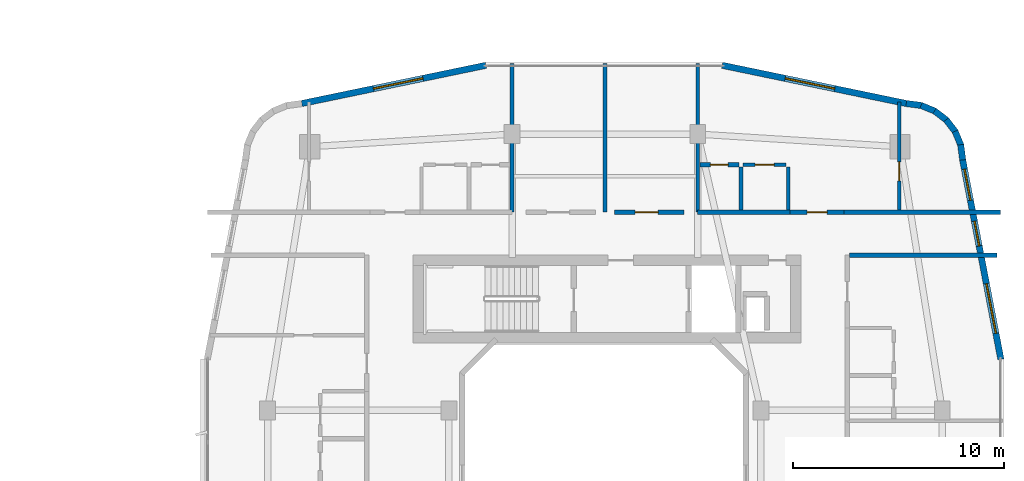
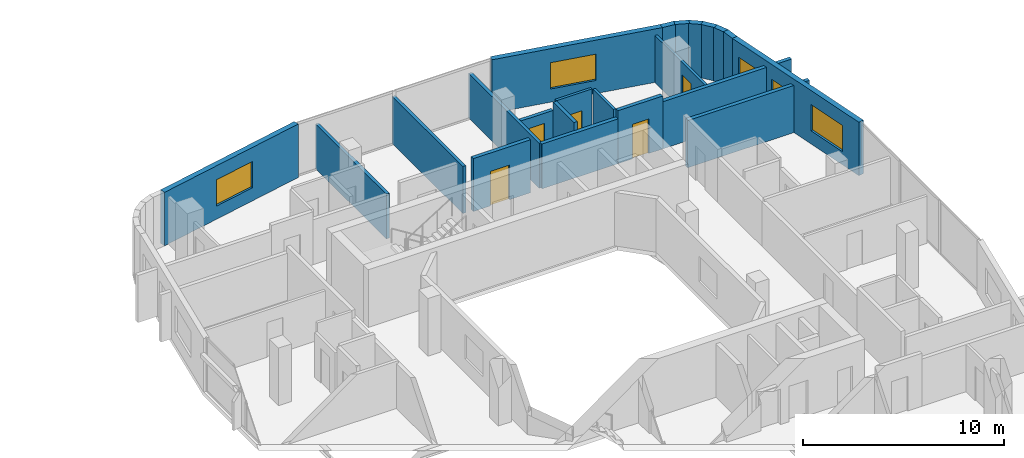
# One storey, part 20 of 26: 22 walls, 5 doors, 5 windows, 10 openings.
"""IFC4 building model written with IfcOpenShell, lengths in metres."""

from ifc_helpers import new_model, si_unit, derived_unit, direction, frame, frame_2d, origin, place, context, subcontext, project, spatial, rectangle, extrude, material, layer, layer_set, type_object, element, fill, save


model = new_model("IFC4")

# Units and contexts
model_context = context("Model", 3, precision=1e-05, world=origin(), true_north=direction((0.0, 1.0)))
body_context = subcontext(model_context, "Body", "Model", "MODEL_VIEW")
ifc_project = project(units=[si_unit("LENGTHUNIT", "METRE"), si_unit("AREAUNIT", "SQUARE_METRE"), si_unit("VOLUMEUNIT", "CUBIC_METRE"), si_unit("PLANEANGLEUNIT", "RADIAN"), si_unit("MASSUNIT", "GRAM", prefix="KILO"), derived_unit("THERMALTRANSMITTANCEUNIT", [(si_unit("POWERUNIT", "WATT"), 1), (si_unit("LENGTHUNIT", "METRE"), -2), (si_unit("THERMODYNAMICTEMPERATUREUNIT", "KELVIN"), -1)])], contexts=[model_context])

# Site, building, storey
site_placement = place(None, origin())
site = spatial("IfcSite", under=ifc_project, at=site_placement, CompositionType="ELEMENT")
building_placement = place(site_placement, origin())
building = spatial("IfcBuilding", under=site, at=building_placement, Name="Kivonza Crest Hotel", CompositionType="ELEMENT")
storey_placement = place(building_placement, frame((0.0, 0.0, 66.0)))
storey = spatial("IfcBuildingStorey", under=building, at=storey_placement, Name="L17", CompositionType="ELEMENT", Elevation=66.0)

# Walls
ifc_material_1 = material(Name="High-density acoustic masonry inter-tenancy wall", Category="masonry")
ifc_layer_1 = layer(ifc_material_1, 0.179931640625)
ifc_layer_set_1 = layer_set([ifc_layer_1], Name="High-density acoustic masonry inter-tenancy wall")
wall_type_1 = type_object("IfcWallType", Name="WL-ACOU-180", PredefinedType="SOLIDWALL", material=ifc_layer_set_1)
wall_1_placement = place(storey_placement, frame((72.60009765625, 37.89990234375, 0.0), z_axis=(0.0, 0.0, 1.0), x_axis=(0.0, 1.0, 0.0)))
element("IfcWall", 1, at=wall_1_placement, inside=storey, type_object=wall_type_1, Name="L17 interior partition WA-L17-T2N-DIV1", PredefinedType="SOLIDWALL", context=body_context, shape_type="SweptSolid", body=[
    extrude(rectangle(XDim=7.0400390625, YDim=0.179931640625, at=frame_2d((3.52001953125, 0.0))), origin(), (0.0, 0.0, 1.0), 2.72509765625),
])
wall_2_placement = place(storey_placement, frame((77.0, 37.89990234375, 0.0), z_axis=(0.0, 0.0, 1.0), x_axis=(0.0, 1.0, 0.0)))
element("IfcWall", 2, at=wall_2_placement, inside=storey, type_object=wall_type_1, Name="L17 interior partition WA-L17-T2N-OFFDIV", PredefinedType="SOLIDWALL", context=body_context, shape_type="SweptSolid", body=[
    extrude(rectangle(XDim=7.0400390625, YDim=0.179931640625, at=frame_2d((3.52001953125, 0.0))), origin(), (0.0, 0.0, 1.0), 2.864990234375),
])
wall_3_placement = place(storey_placement, frame((81.39990234375, 37.89990234375, 0.0), z_axis=(0.0, 0.0, 1.0), x_axis=(0.0, 1.0, 0.0)))
element("IfcWall", 3, at=wall_3_placement, inside=storey, type_object=wall_type_1, Name="L17 interior partition WA-L17-T2N-DIV2", PredefinedType="SOLIDWALL", context=body_context, shape_type="SweptSolid", body=[
    extrude(rectangle(XDim=7.0400390625, YDim=0.179931640625, at=frame_2d((3.52001953125, 0.0))), origin(), (0.0, 0.0, 1.0), 2.72509765625),
])

# Wall, opening, door
ifc_material_2 = material(Name="Autoclaved aerated concrete blockwork", Category="masonry")
ifc_layer_2 = layer(ifc_material_2, 0.219970703125)
ifc_layer_set_2 = layer_set([ifc_layer_2], Name="Autoclaved aerated concrete blockwork")
wall_type_2 = type_object("IfcWallType", Name="WL-ACOU-220", PredefinedType="SOLIDWALL", material=ifc_layer_set_2)
wall_4_placement = place(storey_placement, frame((77.449951171875, 37.89990234375, 0.0), z_axis=(0.0, 0.0, 1.0), x_axis=(1.0, 0.0, 0.0)))
wall_4 = element("IfcWall", 4, at=wall_4_placement, inside=storey, type_object=wall_type_2, Name="L17 interior partition WA-L17-T2-OFF2-S", PredefinedType="SOLIDWALL", context=body_context, shape_type="SweptSolid", body=[
    extrude(rectangle(XDim=3.300048828125, YDim=0.219970703125, at=frame_2d((1.64990234375, 0.0))), origin(), (0.0, 0.0, 1.0), 3.219970703125),
])
opening_1_placement = place(wall_4_placement, frame((0.97998046875, 0.0, 0.0)))
opening_1 = element("IfcOpeningElement", 5, at=opening_1_placement, cuts=wall_4, Name="Opening DF-60M", PredefinedType="OPENING", context=body_context, shape_type="SweptSolid", body=[
    extrude(rectangle(XDim=1.10009765625, YDim=2.10009765625, at=frame_2d((0.550048828125, 1.050048828125))), frame((0.0, 0.1201171875, 0.0), z_axis=(0.0, -1.0, 0.0), x_axis=(1.0, 0.0, 0.0)), (0.0, 0.0, 1.0), 0.239990234375),
])
ifc_material_3 = material(Name="Hardwood timber oak", Category="wood")
door_type_1 = type_object("IfcDoorType", Name="DR-FD60-1100", OperationType="NOTDEFINED", PredefinedType="DOOR", material=ifc_material_3)
door_1_placement = place(opening_1_placement, origin())
door_1 = element("IfcDoor", 6, at=door_1_placement, inside=storey, type_object=door_type_1, Name="L17 Resident Co-Working Study East door", OperationType="SINGLE_SWING_LEFT", OverallHeight=2.10009765625, OverallWidth=1.10009765625, PredefinedType="DOOR", context=body_context, shape_type="SweptSolid", body=[
    extrude(rectangle(XDim=1.10009765625, YDim=2.10009765625, at=frame_2d((0.550048828125, 1.050048828125))), frame((0.0, 0.02490234375, 0.0), z_axis=(0.0, -1.0, 0.0), x_axis=(1.0, 0.0, 0.0)), (0.0, 0.0, 1.0), 0.050048828125),
])
fill(opening_1, door_1)

# Walls
wall_5_placement = place(storey_placement, frame((81.39990234375, 37.89990234375, 0.0), z_axis=(0.0, 0.0, 1.0), x_axis=(1.0, 0.0, 0.0)))
element("IfcWall", 7, at=wall_5_placement, inside=storey, type_object=wall_type_2, Name="L17 interior partition WA-L17-A02-LCORR", PredefinedType="SOLIDWALL", context=body_context, shape_type="SweptSolid", body=[
    extrude(rectangle(XDim=4.380126953125, YDim=0.219970703125, at=frame_2d((2.18994140625, 0.0))), origin(), (0.0, 0.0, 1.0), 2.72509765625),
])
wall_6_placement = place(storey_placement, frame((88.35009765625, 37.89990234375, 0.0), z_axis=(0.0, 0.0, 1.0), x_axis=(1.0, 0.0, 0.0)))
element("IfcWall", 8, at=wall_6_placement, inside=storey, type_object=wall_type_2, Name="L17 interior partition WA-L17-A02-RCORR", PredefinedType="SOLIDWALL", context=body_context, shape_type="SweptSolid", body=[
    extrude(rectangle(XDim=7.409912109375, YDim=0.219970703125, at=frame_2d((3.705078125, 0.0))), origin(), (0.0, 0.0, 1.0), 2.864990234375),
])

# Wall, opening, door
wall_7_placement = place(storey_placement, frame((85.780029296875, 37.89990234375, 0.0), z_axis=(0.0, 0.0, 1.0), x_axis=(1.0, 0.0, 0.0)))
wall_7 = element("IfcWall", 9, at=wall_7_placement, inside=storey, type_object=wall_type_2, Name="L17 interior partition WA-L17-A02-MCORR", PredefinedType="SOLIDWALL", context=body_context, shape_type="SweptSolid", body=[
    extrude(rectangle(XDim=2.570068359375, YDim=0.219970703125, at=frame_2d((1.28515625, 0.0))), origin(), (0.0, 0.0, 1.0), 3.219970703125),
])
opening_2_placement = place(wall_7_placement, frame((0.81005859375, 0.0, 0.0)))
opening_2 = element("IfcOpeningElement", 10, at=opening_2_placement, cuts=wall_7, Name="Opening DU-60", PredefinedType="OPENING", context=body_context, shape_type="SweptSolid", body=[
    extrude(rectangle(XDim=0.949951171875, YDim=2.10009765625, at=frame_2d((0.47509765625, 1.050048828125))), frame((0.0, 0.1201171875, 0.0), z_axis=(0.0, -1.0, 0.0), x_axis=(1.0, 0.0, 0.0)), (0.0, 0.0, 1.0), 0.239990234375),
])
door_type_2 = type_object("IfcDoorType", Name="DR-UNIT-950", OperationType="NOTDEFINED", PredefinedType="DOOR", material=ifc_material_3)
door_2_placement = place(opening_2_placement, origin())
door_2 = element("IfcDoor", 11, at=door_2_placement, inside=storey, type_object=door_type_2, Name="L17 A02 apartment entrance fire door", OperationType="SINGLE_SWING_RIGHT", OverallHeight=2.10009765625, OverallWidth=0.949951171875, PredefinedType="DOOR", context=body_context, shape_type="SweptSolid", body=[
    extrude(rectangle(XDim=0.949951171875, YDim=2.10009765625, at=frame_2d((0.47509765625, 1.050048828125))), frame((0.0, 0.02490234375, 0.0), z_axis=(0.0, -1.0, 0.0), x_axis=(1.0, 0.0, 0.0)), (0.0, 0.0, 1.0), 0.050048828125),
])
fill(opening_2, door_2)

# Wall
wall_8_placement = place(storey_placement, frame((88.60009765625, 35.860107421875, 0.0), z_axis=(0.0, 0.0, 1.0), x_axis=(1.0, 0.0, 0.0)))
element("IfcWall", 12, at=wall_8_placement, inside=storey, type_object=wall_type_2, Name="L17 interior partition WA-L17-T2E-ENDN", PredefinedType="SOLIDWALL", context=body_context, shape_type="SweptSolid", body=[
    extrude(rectangle(XDim=7.0, YDim=0.219970703125, at=frame_2d((3.5, 0.0))), origin(), (0.0, 0.0, 1.0), 2.864990234375),
])

# Wall, openings, windows
ifc_material_4 = material(Name="Precast concrete C40/50", Category="concrete")
ifc_layer_3 = layer(ifc_material_4, 0.300048828125)
ifc_layer_set_3 = layer_set([ifc_layer_3], Name="Precast concrete C40/50")
wall_type_3 = type_object("IfcWallType", Name="WL-EXT-300", PredefinedType="STANDARD", material=ifc_layer_set_3)
wall_9_placement = place(storey_placement, frame((95.782958984375, 30.91796875, 0.0), z_axis=(0.0, 0.0, 1.0), x_axis=(-0.188087874316, 0.982152203854, 0.0)))
wall_9 = element("IfcWall", 13, at=wall_9_placement, inside=storey, type_object=wall_type_3, Name="L17 T2 exterior insulated wall 18", PredefinedType="STANDARD", context=body_context, shape_type="SweptSolid", body=[
    extrude(rectangle(XDim=9.6337890625, YDim=0.300048828125, at=frame_2d((4.81689453125, 0.0))), origin(), (0.0, 0.0, 1.0), 3.25),
])
opening_3_placement = place(wall_9_placement, frame((1.2548828125, 0.0, 0.800048828125)))
opening_3 = element("IfcOpeningElement", 14, at=opening_3_placement, cuts=wall_9, Name="Opening WN-05", PredefinedType="OPENING", context=body_context, shape_type="SweptSolid", body=[
    extrude(rectangle(XDim=2.39990234375, YDim=1.60009765625, at=frame_2d((1.199951171875, 0.800048828125))), frame((0.0, 0.16015625, 0.0), z_axis=(0.0, -1.0, 0.0), x_axis=(1.0, 0.0, 0.0)), (0.0, 0.0, 1.0), 0.320068359375),
])
opening_4_placement = place(wall_9_placement, frame((5.469970703125, 0.0, 0.85009765625)))
opening_4 = element("IfcOpeningElement", 15, at=opening_4_placement, cuts=wall_9, Name="Opening WN-01", PredefinedType="OPENING", context=body_context, shape_type="SweptSolid", body=[
    extrude(rectangle(XDim=1.199951171875, YDim=1.5, at=frame_2d((0.60009765625, 0.75))), frame((0.0, 0.16015625, 0.0), z_axis=(0.0, -1.0, 0.0), x_axis=(1.0, 0.0, 0.0)), (0.0, 0.0, 1.0), 0.320068359375),
])
opening_5_placement = place(wall_9_placement, frame((7.681884765625, 0.0, 0.85009765625)))
opening_5 = element("IfcOpeningElement", 16, at=opening_5_placement, cuts=wall_9, Name="Opening WN-02", PredefinedType="OPENING", context=body_context, shape_type="SweptSolid", body=[
    extrude(rectangle(XDim=1.5, YDim=1.5, at=frame_2d((0.75, 0.75))), frame((0.0, 0.16015625, 0.0), z_axis=(0.0, -1.0, 0.0), x_axis=(1.0, 0.0, 0.0)), (0.0, 0.0, 1.0), 0.320068359375),
])
ifc_material_5 = material(Name="Thermally broken bronze aluminium and low-E double glazing", Category="aluminium")
window_type_1 = type_object("IfcWindowType", Name="WN-120x150", PartitioningType="SINGLE_PANEL", PredefinedType="WINDOW", material=ifc_material_5)
window_1_placement = place(opening_4_placement, origin())
window_1 = element("IfcWindow", 17, at=window_1_placement, inside=storey, type_object=window_type_1, Name="L17 T2 facade window 18 bay 2", OverallHeight=1.5, OverallWidth=1.199951171875, PartitioningType="SINGLE_PANEL", PredefinedType="WINDOW", context=body_context, shape_type="SweptSolid", body=[
    extrude(rectangle(XDim=1.199951171875, YDim=1.5, at=frame_2d((0.60009765625, 0.75))), frame((0.0, 0.030029296875, 0.0), z_axis=(0.0, -1.0, 0.0), x_axis=(1.0, 0.0, 0.0)), (0.0, 0.0, 1.0), 0.06005859375),
])
fill(opening_4, window_1)
window_type_2 = type_object("IfcWindowType", Name="WN-150x150", PartitioningType="DOUBLE_PANEL_VERTICAL", PredefinedType="WINDOW", material=ifc_material_5)
window_2_placement = place(opening_5_placement, origin())
window_2 = element("IfcWindow", 18, at=window_2_placement, inside=storey, type_object=window_type_2, Name="L17 T2 facade window 18 bay 3", OverallHeight=1.5, OverallWidth=1.5, PartitioningType="SINGLE_PANEL", PredefinedType="WINDOW", context=body_context, shape_type="SweptSolid", body=[
    extrude(rectangle(XDim=1.5, YDim=1.5, at=frame_2d((0.75, 0.75))), frame((0.0, 0.030029296875, 0.0), z_axis=(0.0, -1.0, 0.0), x_axis=(1.0, 0.0, 0.0)), (0.0, 0.0, 1.0), 0.06005859375),
])
fill(opening_5, window_2)
window_type_3 = type_object("IfcWindowType", Name="WN-240x160", PartitioningType="TRIPLE_PANEL_VERTICAL", PredefinedType="WINDOW", material=ifc_material_5)
window_3_placement = place(opening_3_placement, origin())
window_3 = element("IfcWindow", 19, at=window_3_placement, inside=storey, type_object=window_type_3, Name="L17 T2 facade window 18 bay 1", OverallHeight=1.60009765625, OverallWidth=2.39990234375, PartitioningType="SINGLE_PANEL", PredefinedType="WINDOW", context=body_context, shape_type="SweptSolid", body=[
    extrude(rectangle(XDim=2.39990234375, YDim=1.60009765625, at=frame_2d((1.199951171875, 0.800048828125))), frame((0.0, 0.030029296875, 0.0), z_axis=(0.0, -1.0, 0.0), x_axis=(1.0, 0.0, 0.0)), (0.0, 0.0, 1.0), 0.06005859375),
])
fill(opening_3, window_3)

# Walls
wall_10_placement = place(storey_placement, frame((93.971923828125, 40.373046875, 0.0), z_axis=(0.0, 0.0, 1.0), x_axis=(-0.130255288807, 0.991480488834, 0.0)))
element("IfcWall", 20, at=wall_10_placement, inside=storey, type_object=wall_type_3, Name="L17 T2 exterior insulated wall 19", PredefinedType="STANDARD", context=body_context, shape_type="SweptSolid", body=[
    extrude(rectangle(XDim=0.72900390625, YDim=0.300048828125, at=frame_2d((0.364501953125, 0.0))), origin(), (0.0, 0.0, 1.0), 3.25),
])
wall_11_placement = place(storey_placement, frame((93.89599609375, 41.044921875, 0.0), z_axis=(0.0, 0.0, 1.0), x_axis=(-0.383267045233, 0.923637576129, 0.0)))
element("IfcWall", 21, at=wall_11_placement, inside=storey, type_object=wall_type_3, Name="L17 T2 exterior insulated wall 20", PredefinedType="STANDARD", context=body_context, shape_type="SweptSolid", body=[
    extrude(rectangle(XDim=0.745849609375, YDim=0.300048828125, at=frame_2d((0.373046875, 0.0))), origin(), (0.0, 0.0, 1.0), 3.25),
])
for number, where, z_axis, x_axis, name in (
    (22, (93.64111328125, 41.68896484375, 0.0), (0.0, 0.0, 1.0), (-0.608603261071, 0.793474681772, 0.0), "L17 T2 exterior insulated wall 21"),
    (23, (93.22900390625, 42.24609375, 0.0), (0.0, 0.0, 1.0), (-0.79363269798, 0.608397189915, 0.0), "L17 T2 exterior insulated wall 22"),
):
    element("IfcWall", number, at=place(storey_placement, frame(where, z_axis=z_axis, x_axis=x_axis)), inside=storey, type_object=wall_type_3, Name=name, PredefinedType="STANDARD", context=body_context, shape_type="SweptSolid", body=[
        extrude(rectangle(XDim=0.74609375, YDim=0.300048828125, at=frame_2d((0.373046875, 0.0))), origin(), (0.0, 0.0, 1.0), 3.25),
    ])
wall_12_placement = place(storey_placement, frame((92.68603515625, 42.676025390625, 0.0), z_axis=(0.0, 0.0, 1.0), x_axis=(-0.923637576129, 0.383267045233, 0.0)))
element("IfcWall", 24, at=wall_12_placement, inside=storey, type_object=wall_type_3, Name="L17 T2 exterior insulated wall 23", PredefinedType="STANDARD", context=body_context, shape_type="SweptSolid", body=[
    extrude(rectangle(XDim=0.745849609375, YDim=0.300048828125, at=frame_2d((0.373046875, 0.0))), origin(), (0.0, 0.0, 1.0), 3.25),
])
wall_13_placement = place(storey_placement, frame((92.051025390625, 42.952880859375, 0.0), z_axis=(0.0, 0.0, 1.0), x_axis=(-0.991559404866, 0.129653178221, 0.0)))
element("IfcWall", 25, at=wall_13_placement, inside=storey, type_object=wall_type_3, Name="L17 T2 exterior insulated wall 24", PredefinedType="STANDARD", context=body_context, shape_type="SweptSolid", body=[
    extrude(rectangle(XDim=0.764404296875, YDim=0.300048828125, at=frame_2d((0.38232421875, 0.0))), origin(), (0.0, 0.0, 1.0), 3.25),
])

# Wall, opening, window
wall_14_placement = place(storey_placement, frame((91.298095703125, 43.051025390625, 0.0), z_axis=(0.0, 0.0, 1.0), x_axis=(-0.979128391325, 0.203242695569, 0.0)))
wall_14 = element("IfcWall", 26, at=wall_14_placement, inside=storey, type_object=wall_type_3, Name="L17 T2 exterior insulated wall 25", PredefinedType="STANDARD", context=body_context, shape_type="SweptSolid", body=[
    extrude(rectangle(XDim=8.92041015625, YDim=0.300048828125, at=frame_2d((4.460205078125, 0.0))), origin(), (0.0, 0.0, 1.0), 3.25),
])
opening_6_placement = place(wall_14_placement, frame((3.471923828125, 0.0, 0.800048828125)))
opening_6 = element("IfcOpeningElement", 27, at=opening_6_placement, cuts=wall_14, Name="Opening WN-05", PredefinedType="OPENING", context=body_context, shape_type="SweptSolid", body=[
    extrude(rectangle(XDim=2.39990234375, YDim=1.60009765625, at=frame_2d((1.199951171875, 0.800048828125))), frame((0.0, 0.16015625, 0.0), z_axis=(0.0, -1.0, 0.0), x_axis=(1.0, 0.0, 0.0)), (0.0, 0.0, 1.0), 0.320068359375),
])
window_4_placement = place(opening_6_placement, origin())
window_4 = element("IfcWindow", 28, at=window_4_placement, inside=storey, type_object=window_type_3, Name="L17 T2 facade window 25", OverallHeight=1.60009765625, OverallWidth=2.39990234375, PartitioningType="SINGLE_PANEL", PredefinedType="WINDOW", context=body_context, shape_type="SweptSolid", body=[
    extrude(rectangle(XDim=2.39990234375, YDim=1.60009765625, at=frame_2d((1.199951171875, 0.800048828125))), frame((0.0, 0.030029296875, 0.0), z_axis=(0.0, -1.0, 0.0), x_axis=(1.0, 0.0, 0.0)), (0.0, 0.0, 1.0), 0.06005859375),
])
fill(opening_6, window_4)

wall_15_placement = place(storey_placement, frame((71.35595703125, 44.864013671875, 0.0), z_axis=(0.0, 0.0, 1.0), x_axis=(-0.979127260729, -0.203248142175, 0.0)))
wall_15 = element("IfcWall", 29, at=wall_15_placement, inside=storey, type_object=wall_type_3, Name="L17 T2 exterior insulated wall 27", PredefinedType="STANDARD", context=body_context, shape_type="SweptSolid", body=[
    extrude(rectangle(XDim=8.920166015625, YDim=0.300048828125, at=frame_2d((4.4599609375, 0.0))), origin(), (0.0, 0.0, 1.0), 3.25),
])
opening_7_placement = place(wall_15_placement, frame((3.048095703125, 0.0, 0.800048828125)))
opening_7 = element("IfcOpeningElement", 30, at=opening_7_placement, cuts=wall_15, Name="Opening WN-05", PredefinedType="OPENING", context=body_context, shape_type="SweptSolid", body=[
    extrude(rectangle(XDim=2.39990234375, YDim=1.60009765625, at=frame_2d((1.199951171875, 0.800048828125))), frame((0.0, 0.16015625, 0.0), z_axis=(0.0, -1.0, 0.0), x_axis=(1.0, 0.0, 0.0)), (0.0, 0.0, 1.0), 0.320068359375),
])
window_5_placement = place(opening_7_placement, origin())
window_5 = element("IfcWindow", 31, at=window_5_placement, inside=storey, type_object=window_type_3, Name="L17 T2 facade window 27", OverallHeight=1.60009765625, OverallWidth=2.39990234375, PartitioningType="SINGLE_PANEL", PredefinedType="WINDOW", context=body_context, shape_type="SweptSolid", body=[
    extrude(rectangle(XDim=2.39990234375, YDim=1.60009765625, at=frame_2d((1.199951171875, 0.800048828125))), frame((0.0, 0.030029296875, 0.0), z_axis=(0.0, -1.0, 0.0), x_axis=(1.0, 0.0, 0.0)), (0.0, 0.0, 1.0), 0.06005859375),
])
fill(opening_7, window_5)

# Wall, opening, door
ifc_material_6 = material(Name="Twin-stud acoustic gypsum board partition", Category="gypsum")
ifc_layer_4 = layer(ifc_material_6, 0.14990234375)
ifc_layer_set_4 = layer_set([ifc_layer_4], Name="Twin-stud acoustic gypsum board partition")
wall_type_4 = type_object("IfcWallType", Name="WL-PART-150", PredefinedType="PARTITIONING", material=ifc_layer_set_4)
wall_16_placement = place(storey_placement, frame((90.9599609375, 38.0, 0.0), z_axis=(0.0, 0.0, 1.0), x_axis=(0.0, 1.0, 0.0)))
wall_16 = element("IfcWall", 32, at=wall_16_placement, inside=storey, type_object=wall_type_4, Name="L17 interior partition WP-L17-A02-BDW1", PredefinedType="PARTITIONING", context=body_context, shape_type="SweptSolid", body=[
    extrude(rectangle(XDim=5.113037109375, YDim=0.14990234375, at=frame_2d((2.556640625, 0.0))), origin(), (0.0, 0.0, 1.0), 2.864990234375),
])
opening_8_placement = place(wall_16_placement, frame((1.3798828125, 0.0, 0.0)))
opening_8 = element("IfcOpeningElement", 33, at=opening_8_placement, cuts=wall_16, Name="Opening DI-90", PredefinedType="OPENING", context=body_context, shape_type="SweptSolid", body=[
    extrude(rectangle(XDim=0.89990234375, YDim=2.10009765625, at=frame_2d((0.449951171875, 1.050048828125))), frame((0.0, 0.0849609375, 0.0), z_axis=(0.0, -1.0, 0.0), x_axis=(1.0, 0.0, 0.0)), (0.0, 0.0, 1.0), 0.169921875),
])
door_type_3 = type_object("IfcDoorType", Name="DR-INT-900", OperationType="NOTDEFINED", PredefinedType="DOOR", material=ifc_material_3)
door_3_placement = place(opening_8_placement, origin())
door_3 = element("IfcDoor", 34, at=door_3_placement, inside=storey, type_object=door_type_3, Name="L17 A02 bedroom 1 door", OperationType="SINGLE_SWING_LEFT", OverallHeight=2.10009765625, OverallWidth=0.89990234375, PredefinedType="DOOR", context=body_context, shape_type="SweptSolid", body=[
    extrude(rectangle(XDim=0.89990234375, YDim=2.10009765625, at=frame_2d((0.449951171875, 1.050048828125))), frame((0.0, 0.02490234375, 0.0), z_axis=(0.0, -1.0, 0.0), x_axis=(1.0, 0.0, 0.0)), (0.0, 0.0, 1.0), 0.050048828125),
])
fill(opening_8, door_3)

# Wall
wall_17_placement = place(storey_placement, frame((85.699951171875, 38.0, 0.0), z_axis=(0.0, 0.0, 1.0), x_axis=(0.0, 1.0, 0.0)))
element("IfcWall", 35, at=wall_17_placement, inside=storey, type_object=wall_type_4, Name="L17 interior partition WP-L17-A02-KF", PredefinedType="PARTITIONING", context=body_context, shape_type="SweptSolid", body=[
    extrude(rectangle(XDim=2.050048828125, YDim=0.14990234375, at=frame_2d((1.02490234375, 0.0))), origin(), (0.0, 0.0, 1.0), 3.219970703125),
])

# Wall, opening, door
wall_18_placement = place(storey_placement, frame((83.550048828125, 40.14990234375, 0.0), z_axis=(0.0, 0.0, 1.0), x_axis=(1.0, 0.0, 0.0)))
wall_18 = element("IfcWall", 36, at=wall_18_placement, inside=storey, type_object=wall_type_4, Name="L17 interior partition WP-L17-A02-KSVC", PredefinedType="PARTITIONING", context=body_context, shape_type="SweptSolid", body=[
    extrude(rectangle(XDim=2.050048828125, YDim=0.14990234375, at=frame_2d((1.02490234375, 0.0))), origin(), (0.0, 0.0, 1.0), 3.219970703125),
])
opening_9_placement = place(wall_18_placement, frame((0.574951171875, 0.0, 0.0)))
opening_9 = element("IfcOpeningElement", 37, at=opening_9_placement, cuts=wall_18, Name="Opening DI-90", PredefinedType="OPENING", context=body_context, shape_type="SweptSolid", body=[
    extrude(rectangle(XDim=0.89990234375, YDim=2.10009765625, at=frame_2d((0.449951171875, 1.050048828125))), frame((0.0, 0.0849609375, 0.0), z_axis=(0.0, -1.0, 0.0), x_axis=(1.0, 0.0, 0.0)), (0.0, 0.0, 1.0), 0.169921875),
])
door_4_placement = place(opening_9_placement, origin())
door_4 = element("IfcDoor", 38, at=door_4_placement, inside=storey, type_object=door_type_3, Name="L17 A02 apartment kitchen door", OperationType="SINGLE_SWING_RIGHT", OverallHeight=2.10009765625, OverallWidth=0.89990234375, PredefinedType="DOOR", context=body_context, shape_type="SweptSolid", body=[
    extrude(rectangle(XDim=0.89990234375, YDim=2.10009765625, at=frame_2d((0.449951171875, 1.050048828125))), frame((0.0, 0.02490234375, 0.0), z_axis=(0.0, -1.0, 0.0), x_axis=(1.0, 0.0, 0.0)), (0.0, 0.0, 1.0), 0.050048828125),
])
fill(opening_9, door_4)

# Wall
ifc_material_7 = material(Name="Moisture-resistant plumbing chase partition wall", Category="gypsum")
ifc_layer_5 = layer(ifc_material_7, 0.199951171875)
ifc_layer_set_5 = layer_set([ifc_layer_5], Name="Moisture-resistant plumbing chase partition wall")
wall_type_5 = type_object("IfcWallType", Name="WL-PLUMB-200", PredefinedType="PLUMBINGWALL", material=ifc_layer_set_5)
wall_19_placement = place(storey_placement, frame((83.449951171875, 38.0, 0.0), z_axis=(0.0, 0.0, 1.0), x_axis=(0.0, 1.0, 0.0)))
element("IfcWall", 39, at=wall_19_placement, inside=storey, type_object=wall_type_5, Name="L17 interior partition WW-L17-A02-BK", PredefinedType="PLUMBINGWALL", context=body_context, shape_type="SweptSolid", body=[
    extrude(rectangle(XDim=2.050048828125, YDim=0.199951171875, at=frame_2d((1.02490234375, 0.0))), origin(), (0.0, 0.0, 1.0), 3.219970703125),
])

# Wall, opening, door
wall_20_placement = place(storey_placement, frame((81.5, 40.14990234375, 0.0), z_axis=(0.0, 0.0, 1.0), x_axis=(1.0, 0.0, 0.0)))
wall_20 = element("IfcWall", 40, at=wall_20_placement, inside=storey, type_object=wall_type_5, Name="L17 interior partition WW-L17-A02-BSVC", PredefinedType="PLUMBINGWALL", context=body_context, shape_type="SweptSolid", body=[
    extrude(rectangle(XDim=1.85009765625, YDim=0.199951171875, at=frame_2d((0.925048828125, 0.0))), origin(), (0.0, 0.0, 1.0), 2.72509765625),
])
opening_10_placement = place(wall_20_placement, frame((0.5, 0.0, 0.0)))
opening_10 = element("IfcOpeningElement", 41, at=opening_10_placement, cuts=wall_20, Name="Opening DI-85", PredefinedType="OPENING", context=body_context, shape_type="SweptSolid", body=[
    extrude(rectangle(XDim=0.85009765625, YDim=2.10009765625, at=frame_2d((0.425048828125, 1.050048828125))), frame((0.0, 0.10986328125, 0.0), z_axis=(0.0, -1.0, 0.0), x_axis=(1.0, 0.0, 0.0)), (0.0, 0.0, 1.0), 0.219970703125),
])
door_type_4 = type_object("IfcDoorType", Name="DR-INT-850", OperationType="NOTDEFINED", PredefinedType="DOOR", material=ifc_material_3)
door_5_placement = place(opening_10_placement, origin())
door_5 = element("IfcDoor", 42, at=door_5_placement, inside=storey, type_object=door_type_4, Name="L17 A02 apartment bathroom door", OperationType="SINGLE_SWING_LEFT", OverallHeight=2.10009765625, OverallWidth=0.85009765625, PredefinedType="DOOR", context=body_context, shape_type="SweptSolid", body=[
    extrude(rectangle(XDim=0.85009765625, YDim=2.10009765625, at=frame_2d((0.425048828125, 1.050048828125))), frame((0.0, 0.02490234375, 0.0), z_axis=(0.0, -1.0, 0.0), x_axis=(1.0, 0.0, 0.0)), (0.0, 0.0, 1.0), 0.050048828125),
])
fill(opening_10, door_5)

save(model, "model.ifc")
